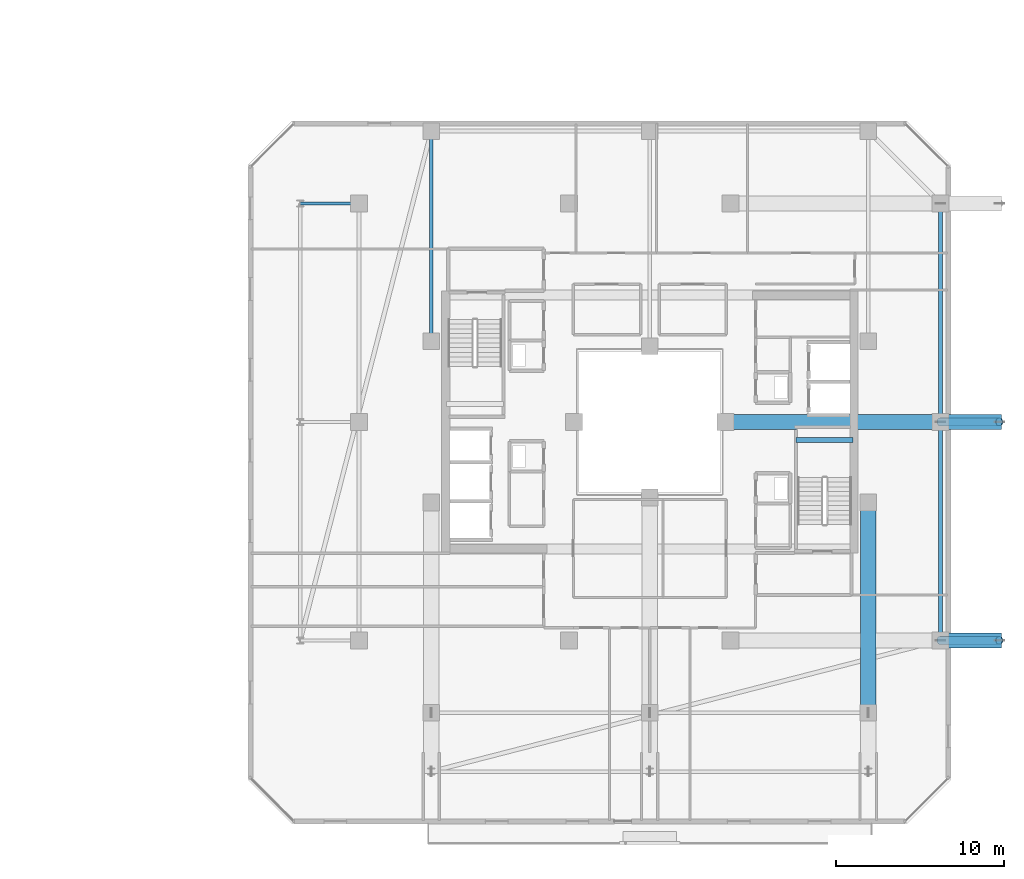
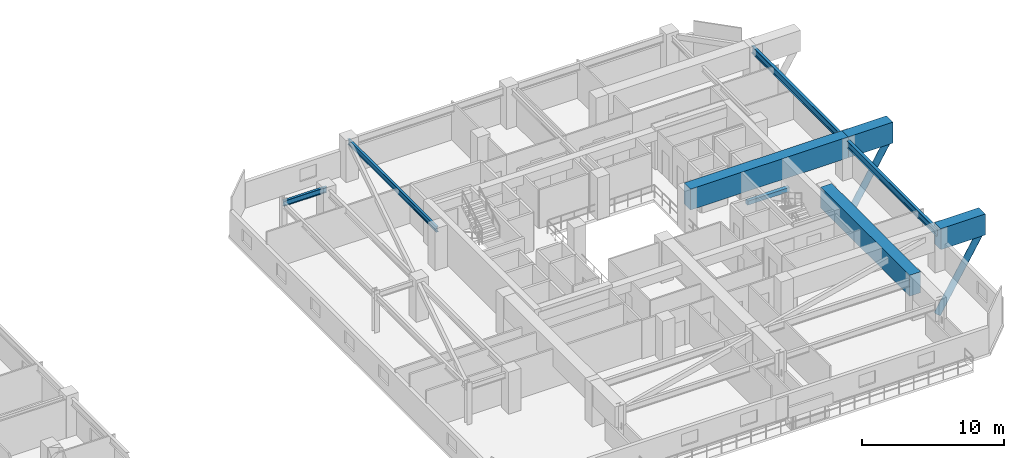
# One storey, part 14 of 35: 9 beams, 2 members.
"""IFC4 building model written with IfcOpenShell, lengths in metres."""

from ifc_helpers import new_model, si_unit, direction, frame, origin, origin_2d, place, context, subcontext, project, spatial, rectangle, hollow_circle, i_section, extrude, material, material_profile, profile_set, type_object, element, save


model = new_model("IFC4")

# Units and contexts
model_context = context("Model", 3, precision=1e-05, world=origin(), true_north=direction((0.0, 1.0)))
body_context = subcontext(model_context, "Body", "Model", "MODEL_VIEW")
ifc_project = project(units=[si_unit("LENGTHUNIT", "METRE"), si_unit("AREAUNIT", "SQUARE_METRE"), si_unit("VOLUMEUNIT", "CUBIC_METRE"), si_unit("PLANEANGLEUNIT", "RADIAN"), si_unit("MASSUNIT", "GRAM", prefix="KILO")], contexts=[model_context])

# Site, building, storey
site_placement = place(None, origin())
site = spatial("IfcSite", under=ifc_project, at=site_placement, CompositionType="ELEMENT")
building_placement = place(site_placement, origin())
building = spatial("IfcBuilding", under=site, at=building_placement, Name="Thornwick Lancets Civic Towers", CompositionType="ELEMENT")
storey_placement = place(building_placement, frame((0.0, 0.0, 225.89990234375)))
storey = spatial("IfcBuildingStorey", under=building, at=storey_placement, Name="L60", CompositionType="ELEMENT", Elevation=225.89990234375)

# Beams
ifc_material_1 = material(Name="Steel S355JR", Category="steel")
ifc_material_profile_1 = material_profile(ifc_material_1, i_section(OverallWidth=0.230224609375, OverallDepth=0.6171875, WebThickness=0.01318359375, FlangeThickness=0.022216796875, FilletRadius=0.0126953125, at=origin_2d()), Name="UKB 610x229x140")
ifc_profile_set_1 = profile_set([ifc_material_profile_1], Name="Steel S355JR")
beam_type_1 = type_object("IfcBeamType", Name="BM_GIRD_610_140", PredefinedType="BEAM", material=ifc_profile_set_1)
beam_1_placement = place(storey_placement, frame((105.800048828125, 14.0, 3.011474609375), z_axis=(0.0, 1.0, 0.0), x_axis=(-1.0, 0.0, 0.0)))
element("IfcBeam", 1, at=beam_1_placement, inside=storey, type_object=beam_type_1, Name="BM-SPINE-L60-B-0-1", PredefinedType="BEAM", context=body_context, shape_type="SweptSolid", body=[
    extrude(i_section(OverallWidth=0.230224609375, OverallDepth=0.6171875, WebThickness=0.01318359375, FlangeThickness=0.022216796875, FilletRadius=0.0126953125, at=origin_2d()), origin(), (0.0, 0.0, 1.0), 13.0),
])
beam_2_placement = place(storey_placement, frame((105.800048828125, 27.080078125, 3.011474609375), z_axis=(0.0, 1.0, 0.0), x_axis=(-1.0, 0.0, 0.0)))
element("IfcBeam", 2, at=beam_2_placement, inside=storey, type_object=beam_type_1, Name="BM-SPINE-L60-B-1-2", PredefinedType="BEAM", context=body_context, shape_type="SweptSolid", body=[
    extrude(i_section(OverallWidth=0.230224609375, OverallDepth=0.6171875, WebThickness=0.01318359375, FlangeThickness=0.022216796875, FilletRadius=0.0126953125, at=origin_2d()), origin(), (0.0, 0.0, 1.0), 12.919921875),
])
ifc_material_profile_2 = material_profile(ifc_material_1, i_section(OverallWidth=0.19189453125, OverallDepth=0.46337890625, WebThickness=0.010498046875, FlangeThickness=0.017578125, FilletRadius=0.01025390625, at=origin_2d()), Name="UKB 457x191x89")
ifc_profile_set_2 = profile_set([ifc_material_profile_2], Name="Steel S355JR")
beam_type_2 = type_object("IfcBeamType", Name="BM_JOIST_457_89", PredefinedType="JOIST", material=ifc_profile_set_2)
beam_3_placement = place(storey_placement, frame((75.5, 31.800048828125, 3.08837890625), z_axis=(0.0, 1.0, 0.0), x_axis=(-1.0, 0.0, 0.0)))
element("IfcBeam", 3, at=beam_3_placement, inside=storey, type_object=beam_type_2, Name="BM-RADIN-L60-B06", PredefinedType="JOIST", context=body_context, shape_type="SweptSolid", body=[
    extrude(i_section(OverallWidth=0.19189453125, OverallDepth=0.46337890625, WebThickness=0.010498046875, FlangeThickness=0.017578125, FilletRadius=0.01025390625, at=origin_2d()), origin(), (0.0, 0.0, 1.0), 12.5),
])
beam_4_placement = place(storey_placement, frame((71.199951171875, 40.0, 3.08837890625), z_axis=(-1.0, 0.0, 0.0), x_axis=(0.0, -1.0, 0.0)))
element("IfcBeam", 4, at=beam_4_placement, inside=storey, type_object=beam_type_2, Name="BM-RAD-L60-B09", PredefinedType="JOIST", context=body_context, shape_type="SweptSolid", body=[
    extrude(i_section(OverallWidth=0.19189453125, OverallDepth=0.46337890625, WebThickness=0.010498046875, FlangeThickness=0.017578125, FilletRadius=0.01025390625, at=origin_2d()), origin(), (0.0, 0.0, 1.0), 3.5),
])
ifc_material_2 = material(Name="Concrete C40/50", Category="concrete")
ifc_material_profile_3 = material_profile(ifc_material_2, rectangle(XDim=0.300048828125, YDim=0.35009765625, at=origin_2d()), Name="RC 300x350")
ifc_profile_set_3 = profile_set([ifc_material_profile_3], Name="Concrete C40/50")
beam_type_3 = type_object("IfcBeamType", Name="BM_STAIR_LDG", PredefinedType="BEAM", material=ifc_profile_set_3)
beam_5_placement = place(storey_placement, frame((100.60009765625, 25.93505859375, 1.378173828125), z_axis=(-1.0, 0.0, 0.0), x_axis=(0.0, -1.0, 0.0)))
element("IfcBeam", 5, at=beam_5_placement, inside=storey, type_object=beam_type_3, Name="L60 ST-B1 Landing Support Beam 1", PredefinedType="BEAM", context=body_context, shape_type="SweptSolid", body=[
    extrude(rectangle(XDim=0.300048828125, YDim=0.35009765625, at=origin_2d()), origin(), (0.0, 0.0, 1.0), 3.400146484375),
])
ifc_material_3 = material(Name="Concrete C60/75", Category="concrete")
ifc_material_profile_4 = material_profile(ifc_material_3, rectangle(XDim=0.89990234375, YDim=1.800048828125, at=origin_2d()), Name="RC 900x1800")
ifc_profile_set_4 = profile_set([ifc_material_profile_4], Name="Concrete C60/75")
beam_type_4 = type_object("IfcBeamType", Name="BM_TR_RC1800", PredefinedType="BEAM", material=ifc_profile_set_4)
beam_6_placement = place(storey_placement, frame((105.800048828125, 14.0, 2.7001953125), z_axis=(1.0, 0.0, 0.0), x_axis=(0.0, 1.0, 0.0)))
element("IfcBeam", 6, at=beam_6_placement, inside=storey, type_object=beam_type_4, Name="TG-CANT-L61-B01", PredefinedType="BEAM", context=body_context, shape_type="SweptSolid", body=[
    extrude(rectangle(XDim=0.89990234375, YDim=1.800048828125, at=origin_2d()), origin(), (0.0, 0.0, 1.0), 3.619873046875),
])
beam_7_placement = place(storey_placement, frame((93.0, 27.0, 2.7001953125), z_axis=(1.0, 0.0, 0.0), x_axis=(0.0, 1.0, 0.0)))
element("IfcBeam", 7, at=beam_7_placement, inside=storey, type_object=beam_type_4, Name="TG-BACK-L61-B02", PredefinedType="BEAM", context=body_context, shape_type="SweptSolid", body=[
    extrude(rectangle(XDim=0.89990234375, YDim=1.800048828125, at=origin_2d()), origin(), (0.0, 0.0, 1.0), 12.800048828125),
])
beam_8_placement = place(storey_placement, frame((105.800048828125, 27.0, 2.7001953125), z_axis=(1.0, 0.0, 0.0), x_axis=(0.0, 1.0, 0.0)))
element("IfcBeam", 8, at=beam_8_placement, inside=storey, type_object=beam_type_4, Name="TG-CANT-L61-B02", PredefinedType="BEAM", context=body_context, shape_type="SweptSolid", body=[
    extrude(rectangle(XDim=0.89990234375, YDim=1.800048828125, at=origin_2d()), origin(), (0.0, 0.0, 1.0), 3.619873046875),
])
beam_9_placement = place(storey_placement, frame((101.5, 22.199951171875, 2.7001953125), z_axis=(0.0, -1.0, 0.0), x_axis=(1.0, 0.0, 0.0)))
element("IfcBeam", 9, at=beam_9_placement, inside=storey, type_object=beam_type_4, Name="TG-BACK-L61-B10", PredefinedType="BEAM", context=body_context, shape_type="SweptSolid", body=[
    extrude(rectangle(XDim=0.89990234375, YDim=1.800048828125, at=origin_2d()), origin(), (0.0, 0.0, 1.0), 12.5),
])

# Members
ifc_material_4 = material(Name="Steel S460M", Category="steel")
ifc_material_profile_5 = material_profile(ifc_material_4, hollow_circle(Radius=0.25390625, WallThickness=0.02490234375, at=origin_2d()), Name="CHS 508x25")
ifc_profile_set_5 = profile_set([ifc_material_profile_5], Name="Steel S460M")
member_type = type_object("IfcMemberType", Name="MEM_STRUT_CHS508", PredefinedType="STRUT", material=ifc_profile_set_5)
for number, where, z_axis, x_axis, name in (
    (10, (105.800048828125, 14.0, -3.949951171875), (0.514706934567, 0.0, 0.857366182858), (0.0, 1.0, 0.0), "L61 Jenga Transfer Raking Strut B01"),
    (11, (105.800048828125, 27.0, -3.949951171875), (0.514706934567, 0.0, 0.857366182858), (0.0, 1.0, 0.0), "L61 Jenga Transfer Raking Strut B02"),
):
    element("IfcMember", number, at=place(storey_placement, frame(where, z_axis=z_axis, x_axis=x_axis)), inside=storey, type_object=member_type, Name=name, PredefinedType="STRUT", context=body_context, shape_type="SweptSolid", body=[
        extrude(hollow_circle(Radius=0.25390625, WallThickness=0.02490234375, at=origin_2d()), origin(), (0.0, 0.0, 1.0), 6.800048828125),
    ])

save(model, "model.ifc")
